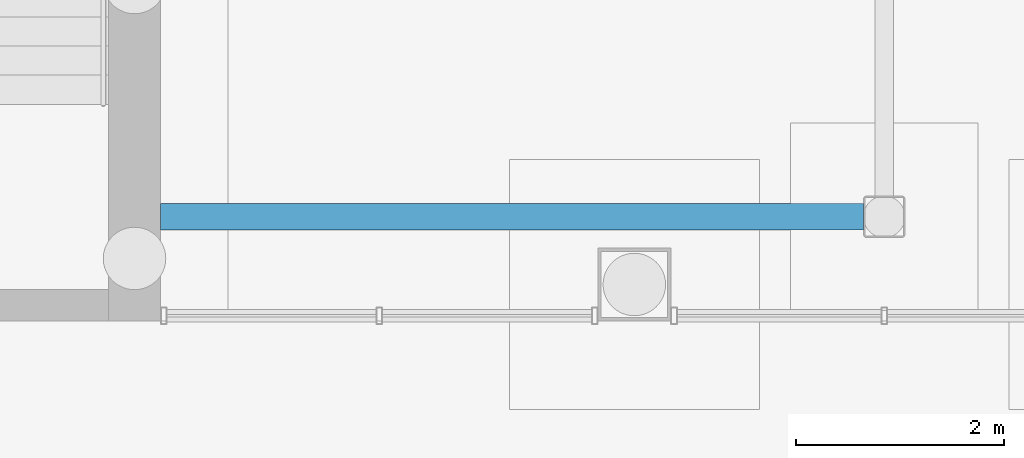
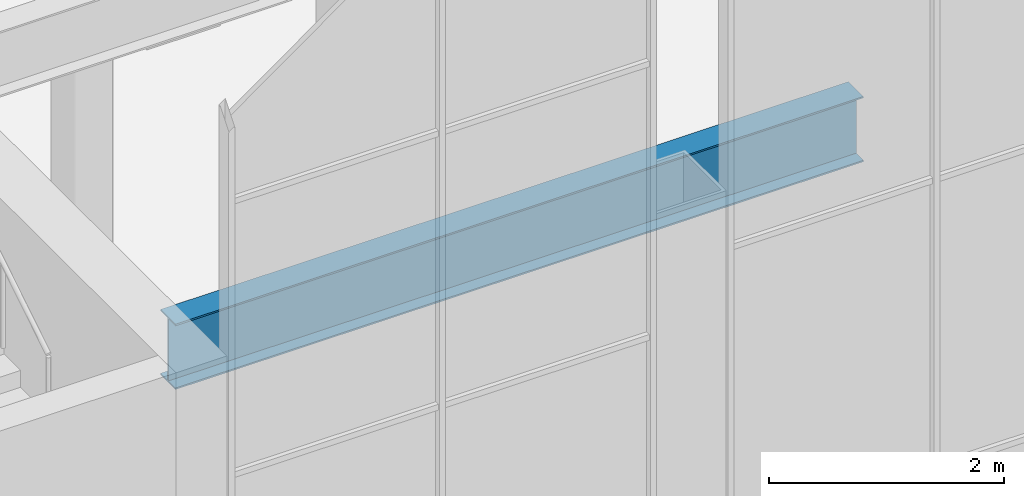
# One storey, part 14 of 58: 1 beam.
"""IFC4 building model written with IfcOpenShell, lengths in metres."""

from ifc_helpers import new_model, si_unit, direction, frame, origin, origin_2d, place, context, subcontext, project, spatial, i_section, extrude, material, material_profile, profile_set, type_object, element, save


model = new_model("IFC4")

# Units and contexts
model_context = context("Model", 3, precision=1e-05, world=origin(), true_north=direction((0.0, 1.0)))
body_context = subcontext(model_context, "Body", "Model", "MODEL_VIEW")
ifc_project = project(units=[si_unit("LENGTHUNIT", "METRE"), si_unit("AREAUNIT", "SQUARE_METRE"), si_unit("VOLUMEUNIT", "CUBIC_METRE"), si_unit("PLANEANGLEUNIT", "RADIAN"), si_unit("MASSUNIT", "GRAM", prefix="KILO")], contexts=[model_context])

# Site, building, storey
site_placement = place(None, origin())
site = spatial("IfcSite", under=ifc_project, at=site_placement, CompositionType="ELEMENT")
building_placement = place(site_placement, origin())
building = spatial("IfcBuilding", under=site, at=building_placement, Name="Baori Bourse Tower", CompositionType="ELEMENT")
storey_placement = place(building_placement, origin())
storey = spatial("IfcBuildingStorey", under=building, at=storey_placement, Name="L00", CompositionType="ELEMENT", Elevation=0.0)

# Beam
ifc_material = material(Name="Steel A992 Gr 50", Category="steel")
ifc_material_profile = material_profile(ifc_material, i_section(OverallWidth=0.25390625, OverallDepth=0.67822265625, WebThickness=0.01171875, FlangeThickness=0.016357421875, at=origin_2d()), Name="W27x84")
ifc_profile_set = profile_set([ifc_material_profile], Name="Steel A992 Gr 50")
beam_type = type_object("IfcBeamType", Name="Wing beam W27x84", PredefinedType="BEAM", material=ifc_profile_set)
beam_placement = place(storey_placement, frame((0.25, -24.199951171875, 12.060791015625), z_axis=(1.0, 0.0, 0.0), x_axis=(0.0, 1.0, 0.0)))
element("IfcBeam", 1, at=beam_placement, inside=storey, type_object=beam_type, Name="wing/L00/galbeam/001", PredefinedType="BEAM", context=body_context, shape_type="SweptSolid", body=[
    extrude(i_section(OverallWidth=0.25390625, OverallDepth=0.67822265625, WebThickness=0.01171875, FlangeThickness=0.016357421875, at=origin_2d()), origin(), (0.0, 0.0, 1.0), 6.75),
])

save(model, "model.ifc")
